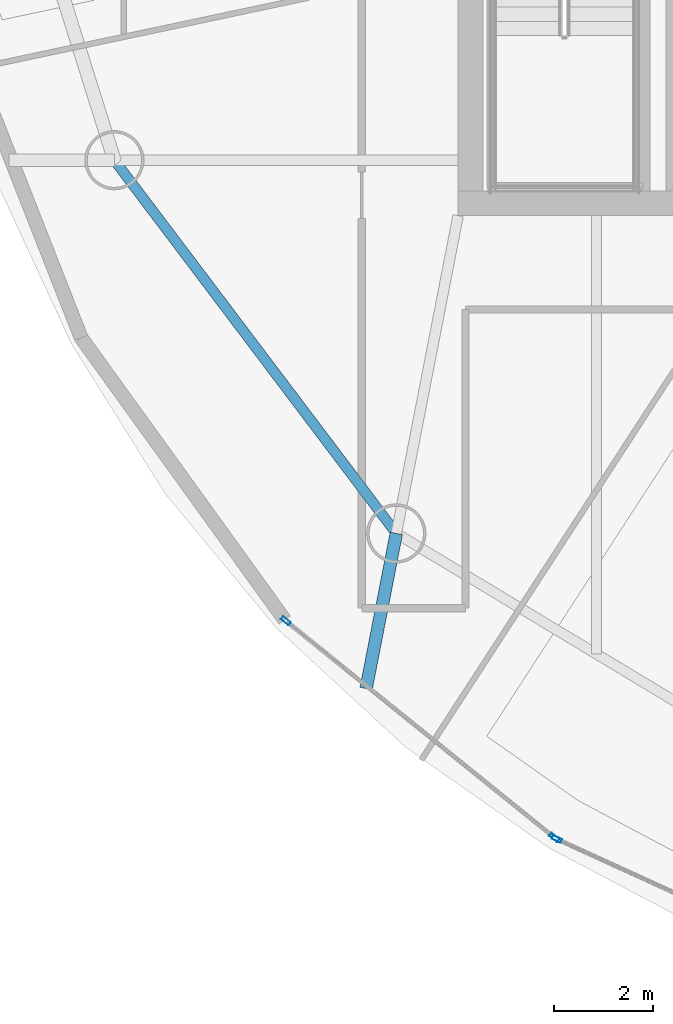
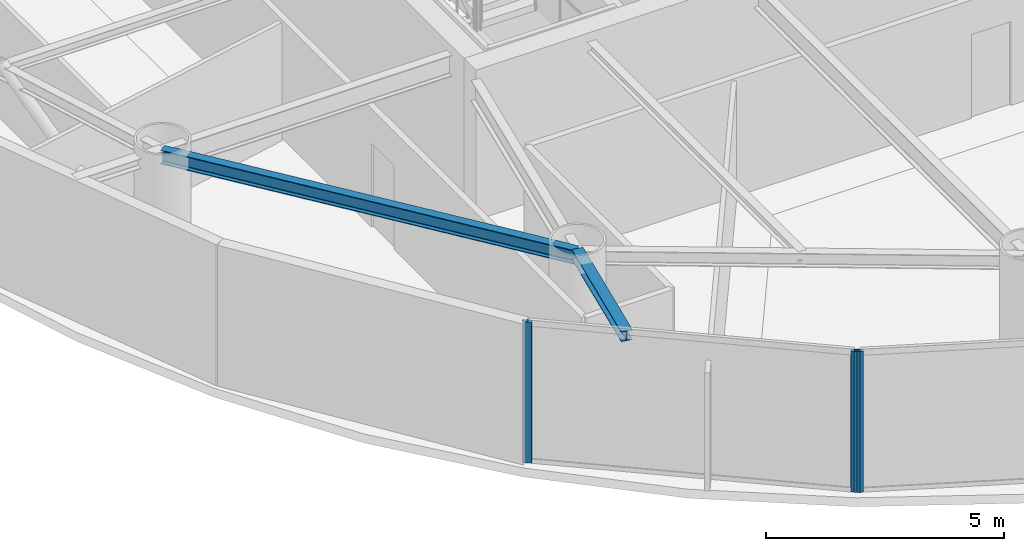
# One storey, part 2 of 19: 3 members, 2 beams, 2 elements without a shape of their own.
"""IFC4 building model written with IfcOpenShell, lengths in metres."""

from ifc_helpers import new_model, si_unit, direction, frame, origin, origin_2d, place, context, subcontext, project, spatial, hollow_rectangle, i_section, extrude, material, layer, layer_set, material_profile, profile_set, type_object, element, aggregate, save


model = new_model("IFC4")

# Units and contexts
model_context = context("Model", 3, precision=1e-05, world=origin(), true_north=direction((0.0, 1.0)))
body_context = subcontext(model_context, "Body", "Model", "MODEL_VIEW")
ifc_project = project(units=[si_unit("LENGTHUNIT", "METRE"), si_unit("AREAUNIT", "SQUARE_METRE"), si_unit("VOLUMEUNIT", "CUBIC_METRE"), si_unit("PLANEANGLEUNIT", "RADIAN"), si_unit("MASSUNIT", "GRAM", prefix="KILO")], contexts=[model_context])

# Site, building, storey
site_placement = place(None, origin())
site = spatial("IfcSite", under=ifc_project, at=site_placement, CompositionType="ELEMENT")
building_placement = place(site_placement, origin())
building = spatial("IfcBuilding", under=site, at=building_placement, Name="Bramvorn Convention Spire", CompositionType="ELEMENT")
storey_placement = place(building_placement, frame((0.0, 0.0, 217.39990234375)))
storey = spatial("IfcBuildingStorey", under=building, at=storey_placement, Name="L55", CompositionType="ELEMENT", Elevation=217.39990234375)

# Beams
ifc_material_1 = material(Name="Steel CSA G40.21 Grade 350 (350W)", Category="steel")
ifc_material_profile_1 = material_profile(ifc_material_1, i_section(OverallWidth=0.25390625, OverallDepth=0.2529296875, WebThickness=0.008544921875, FlangeThickness=0.01416015625, FilletRadius=0.011962890625, at=origin_2d()))
ifc_profile_set_1 = profile_set([ifc_material_profile_1], Name="Steel CSA G40.21 Grade 350 (350W) - W250X73")
beam_type_1 = type_object("IfcBeamType", Name="BM-W250X73", PredefinedType="BEAM", material=ifc_profile_set_1)
beam_1_placement = place(storey_placement, frame((25.498046875, 12.114990234375, 3.49365234375), z_axis=(-0.190977895588, -0.981594337492, 0.0), x_axis=(0.981594337492, -0.190977895588, 0.0)))
element("IfcBeam", 1, at=beam_1_placement, inside=storey, type_object=beam_type_1, Name="L55 slab-edge cantilever tip beam MC13", PredefinedType="BEAM", context=body_context, shape_type="SweptSolid", body=[
    extrude(i_section(OverallWidth=0.25390625, OverallDepth=0.2529296875, WebThickness=0.008544921875, FlangeThickness=0.01416015625, FilletRadius=0.011962890625, at=origin_2d()), origin(), (0.0, 0.0, 1.0), 3.19970703125),
])
ifc_material_profile_2 = material_profile(ifc_material_1, i_section(OverallWidth=0.205078125, OverallDepth=0.35400390625, WebThickness=0.009521484375, FlangeThickness=0.016845703125, FilletRadius=0.014892578125, at=origin_2d()))
ifc_profile_set_2 = profile_set([ifc_material_profile_2], Name="Steel CSA G40.21 Grade 350 (350W) - W360X79")
beam_type_2 = type_object("IfcBeamType", Name="BM-W360X79", PredefinedType="JOIST", material=ifc_profile_set_2)
beam_2_placement = place(storey_placement, frame((19.78955078125, 19.672607421875, 3.443115234375), z_axis=(0.602718581414, -0.797953827999, 0.0), x_axis=(0.797953827999, 0.602718581414, 0.0)))
element("IfcBeam", 2, at=beam_2_placement, inside=storey, type_object=beam_type_2, Name="L55 mega-column ring beam 12", PredefinedType="JOIST", context=body_context, shape_type="SweptSolid", body=[
    extrude(i_section(OverallWidth=0.205078125, OverallDepth=0.35400390625, WebThickness=0.009521484375, FlangeThickness=0.016845703125, FilletRadius=0.014892578125, at=origin_2d()), origin(), (0.0, 0.0, 1.0), 9.47119140625),
])

# Curtain wall, members
ifc_material_2 = material(Name="Anodised Bronze Unitised Curtain Wall", Category="aluminium")
ifc_layer = layer(ifc_material_2, 0.179931640625)
ifc_layer_set = layer_set([ifc_layer], Name="Anodised Bronze Unitised Curtain Wall - CW-OFF-FRIT")
curtain_wall_type = type_object("IfcCurtainWallType", Name="CW-OFF-FRIT", PredefinedType="USERDEFINED", material=ifc_layer_set)
curtain_wall_1_placement = place(storey_placement, origin())
curtain_wall_1 = element("IfcCurtainWall", 3, at=curtain_wall_1_placement, inside=storey, type_object=curtain_wall_type, Name="L55 fritted glass curtain wall 19", ObjectType="UNITISED CURTAIN WALL", PredefinedType="USERDEFINED")
ifc_material_3 = material(Name="Anodised Bronze Aluminium 6063-T6", Category="aluminium")
ifc_material_profile_3 = material_profile(ifc_material_3, hollow_rectangle(XDim=0.080078125, YDim=0.199951171875, WallThickness=0.00390625, InnerFilletRadius=0.0009765625, OuterFilletRadius=0.00390625, at=origin_2d()))
ifc_profile_set_3 = profile_set([ifc_material_profile_3], Name="Anodised Bronze Aluminium 6063-T6 - CWM80X200")
member_type = type_object("IfcMemberType", Name="CW-MUL-180", PredefinedType="MULLION", material=ifc_profile_set_3)
member_1_placement = place(storey_placement, frame((28.69775390625, 5.957275390625, 0.0), z_axis=(0.0, 0.0, 1.0), x_axis=(-0.628026506434, -0.77819194754, 0.0)))
member_1 = element("IfcMember", 4, at=member_1_placement, type_object=member_type, Name="CW3 mullion 1", PredefinedType="MULLION", context=body_context, shape_type="SweptSolid", body=[
    extrude(hollow_rectangle(XDim=0.080078125, YDim=0.199951171875, WallThickness=0.00390625, InnerFilletRadius=0.0009765625, OuterFilletRadius=0.00390625, at=origin_2d()), origin(), (0.0, 0.0, 1.0), 3.6201171875),
])
member_2_placement = place(storey_placement, frame((23.26171875, 10.34423828125, 0.0), z_axis=(0.0, 0.0, 1.0), x_axis=(-0.628026506434, -0.77819194754, 0.0)))
member_2 = element("IfcMember", 5, at=member_2_placement, type_object=member_type, Name="CW3 mullion 2", PredefinedType="MULLION", context=body_context, shape_type="SweptSolid", body=[
    extrude(hollow_rectangle(XDim=0.080078125, YDim=0.199951171875, WallThickness=0.00390625, InnerFilletRadius=0.0009765625, OuterFilletRadius=0.00390625, at=origin_2d()), origin(), (0.0, 0.0, 1.0), 3.6201171875),
])
aggregate(curtain_wall_1, [member_1, member_2])

# Curtain wall, member
curtain_wall_2_placement = place(storey_placement, origin())
curtain_wall_2 = element("IfcCurtainWall", 6, at=curtain_wall_2_placement, inside=storey, type_object=curtain_wall_type, Name="L55 fritted glass curtain wall 20", ObjectType="UNITISED CURTAIN WALL", PredefinedType="USERDEFINED")
member_3_placement = place(storey_placement, frame((28.748291015625, 5.926025390625, 0.0), z_axis=(0.0, 0.0, 1.0), x_axis=(-0.415635829072, -0.909531119639, 0.0)))
member_3 = element("IfcMember", 7, at=member_3_placement, type_object=member_type, Name="CW3 mullion 2", PredefinedType="MULLION", context=body_context, shape_type="SweptSolid", body=[
    extrude(hollow_rectangle(XDim=0.080078125, YDim=0.199951171875, WallThickness=0.00390625, InnerFilletRadius=0.0009765625, OuterFilletRadius=0.00390625, at=origin_2d()), origin(), (0.0, 0.0, 1.0), 3.6201171875),
])
aggregate(curtain_wall_2, [member_3])

save(model, "model.ifc")
